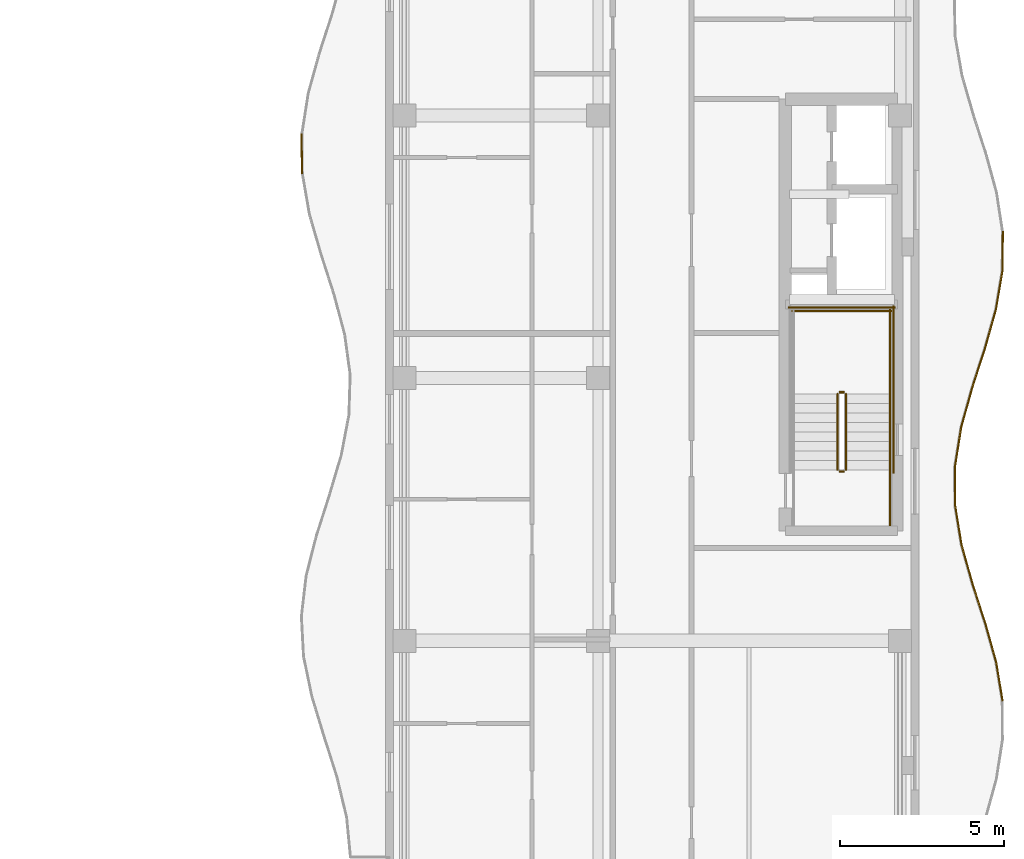
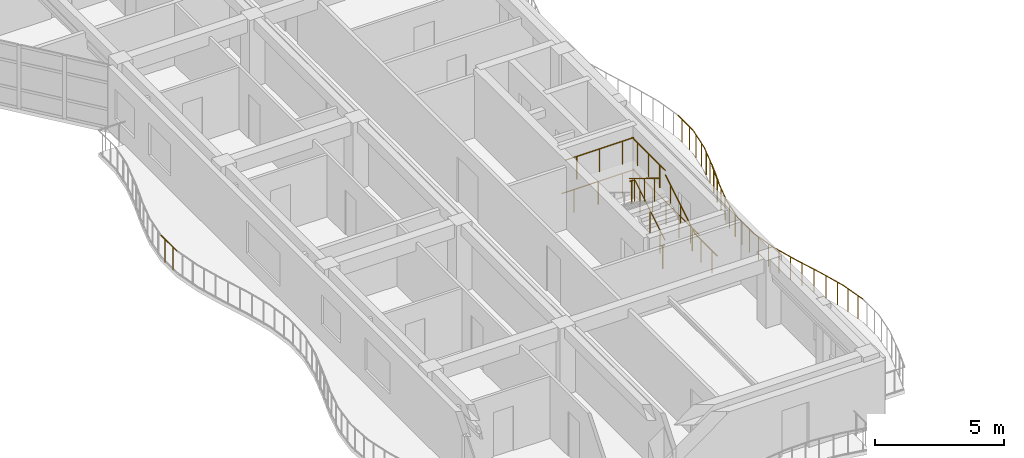
# One storey, part 85 of 89: 23 railings.
"""IFC4 building model written with IfcOpenShell, lengths in metres."""

from ifc_helpers import new_model, si_unit, direction, frame, origin, origin_2d, place, context, subcontext, project, spatial, circle, extrude, material, type_object, element, save


model = new_model("IFC4")

# Units and contexts
model_context = context("Model", 3, precision=1e-05, world=origin(), true_north=direction((0.0, 1.0)))
body_context = subcontext(model_context, "Body", "Model", "MODEL_VIEW")
ifc_project = project(units=[si_unit("LENGTHUNIT", "METRE"), si_unit("AREAUNIT", "SQUARE_METRE"), si_unit("VOLUMEUNIT", "CUBIC_METRE"), si_unit("PLANEANGLEUNIT", "RADIAN"), si_unit("MASSUNIT", "GRAM", prefix="KILO")], contexts=[model_context])

# Site, building, storey
site_placement = place(None, origin())
site = spatial("IfcSite", under=ifc_project, at=site_placement, CompositionType="ELEMENT")
building_placement = place(site_placement, origin())
building = spatial("IfcBuilding", under=site, at=building_placement, Name="Keldmere Railside Commons", CompositionType="ELEMENT")
storey_placement = place(building_placement, frame((0.0, 0.0, 7.360107421875)))
storey = spatial("IfcBuildingStorey", under=building, at=storey_placement, Name="L02", CompositionType="ELEMENT", Elevation=7.360107421875)

# Railings
ifc_material = material(Name="Steel F-24 (S235)", Category="steel")
railing_type_1 = type_object("IfcRailingType", Name="Balcony & Terrace Steel Balustrade 1100", PredefinedType="BALUSTRADE", material=ifc_material)
railing_1_placement = place(storey_placement, frame((165.33349609375, 78.22509765625, 0.0)))
element("IfcRailing", 1, at=railing_1_placement, inside=storey, type_object=railing_type_1, Name="GR-1 GRD-L02-3338", PredefinedType="BALUSTRADE", context=body_context, shape_type="SweptSolid", body=[
    extrude(circle(Radius=0.02392578125, at=origin_2d()), frame((0.0, 0.0, 1.076171875), z_axis=(-0.010762781004, 0.999942079595, 0.0), x_axis=(-0.999942079595, -0.010762781004, 0.0)), (0.0, 0.0, 1.0), 1.224853515625),
    extrude(circle(Radius=0.02099609375, at=origin_2d()), frame((-0.00341796875, 0.30615234375, 0.0)), (0.0, 0.0, 1.0), 1.048095703125),
    extrude(circle(Radius=0.02099609375, at=origin_2d()), frame((-0.009765625, 0.918701171875, 0.0)), (0.0, 0.0, 1.0), 1.048095703125),
])
railing_2_placement = place(storey_placement, frame((186.671630859375, 62.166748046875, 0.0)))
element("IfcRailing", 2, at=railing_2_placement, inside=storey, type_object=railing_type_1, Name="GR-1 GRD-L02-3351", PredefinedType="BALUSTRADE", context=body_context, shape_type="SweptSolid", body=[
    extrude(circle(Radius=0.02392578125, at=origin_2d()), frame((0.0, 0.0, 1.076171875), z_axis=(-0.162923737789, 0.986638665199, 0.0), x_axis=(-0.986638665199, -0.162923737789, 0.0)), (0.0, 0.0, 1.0), 1.207763671875),
    extrude(circle(Radius=0.02099609375, at=origin_2d()), frame((-0.04931640625, 0.2978515625, 0.0)), (0.0, 0.0, 1.0), 1.048095703125),
    extrude(circle(Radius=0.02099609375, at=origin_2d()), frame((-0.1474609375, 0.893798828125, 0.0)), (0.0, 0.0, 1.0), 1.048095703125),
])
railing_3_placement = place(storey_placement, frame((186.474853515625, 63.3583984375, 0.0)))
element("IfcRailing", 3, at=railing_3_placement, inside=storey, type_object=railing_type_1, Name="GR-1 GRD-L02-3352", PredefinedType="BALUSTRADE", context=body_context, shape_type="SweptSolid", body=[
    extrude(circle(Radius=0.02392578125, at=origin_2d()), frame((0.0, 0.0, 1.076171875), z_axis=(-0.271151019041, 0.962536817412, 0.0), x_axis=(-0.962536817412, -0.271151019041, 0.0)), (0.0, 0.0, 1.0), 1.238037109375),
    extrude(circle(Radius=0.02099609375, at=origin_2d()), frame((-0.083984375, 0.2978515625, 0.0)), (0.0, 0.0, 1.0), 1.048095703125),
    extrude(circle(Radius=0.02099609375, at=origin_2d()), frame((-0.251708984375, 0.893798828125, 0.0)), (0.0, 0.0, 1.0), 1.048095703125),
])
railing_4_placement = place(storey_placement, frame((186.13916015625, 64.550048828125, 0.0)))
element("IfcRailing", 4, at=railing_4_placement, inside=storey, type_object=railing_type_1, Name="GR-1 GRD-L02-3353", PredefinedType="BALUSTRADE", context=body_context, shape_type="SweptSolid", body=[
    extrude(circle(Radius=0.02392578125, at=origin_2d()), frame((0.0, 0.0, 1.076171875), z_axis=(-0.307794335351, 0.951452913772, 0.0), x_axis=(-0.951452913772, -0.307794335351, 0.0)), (0.0, 0.0, 1.0), 1.25244140625),
    extrude(circle(Radius=0.02099609375, at=origin_2d()), frame((-0.096435546875, 0.2978515625, 0.0)), (0.0, 0.0, 1.0), 1.048095703125),
    extrude(circle(Radius=0.02099609375, at=origin_2d()), frame((-0.2890625, 0.893798828125, 0.0)), (0.0, 0.0, 1.0), 1.048095703125),
])
railing_5_placement = place(storey_placement, frame((185.753662109375, 65.74169921875, 0.0)))
element("IfcRailing", 5, at=railing_5_placement, inside=storey, type_object=railing_type_1, Name="GR-1 GRD-L02-3354", PredefinedType="BALUSTRADE", context=body_context, shape_type="SweptSolid", body=[
    extrude(circle(Radius=0.02392578125, at=origin_2d()), frame((0.0, 0.0, 1.076171875), z_axis=(-0.269688466537, 0.96294762631, 0.0), x_axis=(-0.96294762631, -0.269688466537, 0.0)), (0.0, 0.0, 1.0), 1.237548828125),
    extrude(circle(Radius=0.02099609375, at=origin_2d()), frame((-0.08349609375, 0.2978515625, 0.0)), (0.0, 0.0, 1.0), 1.048095703125),
    extrude(circle(Radius=0.02099609375, at=origin_2d()), frame((-0.250244140625, 0.893798828125, 0.0)), (0.0, 0.0, 1.0), 1.048095703125),
])
railing_6_placement = place(storey_placement, frame((185.419921875, 66.933349609375, 0.0)))
element("IfcRailing", 6, at=railing_6_placement, inside=storey, type_object=railing_type_1, Name="GR-1 GRD-L02-3355", PredefinedType="BALUSTRADE", context=body_context, shape_type="SweptSolid", body=[
    extrude(circle(Radius=0.02392578125, at=origin_2d()), frame((0.0, 0.0, 1.076171875), z_axis=(-0.16036405323, 0.987057936715, 0.0), x_axis=(-0.987057936715, -0.16036405323, 0.0)), (0.0, 0.0, 1.0), 1.207275390625),
    extrude(circle(Radius=0.02099609375, at=origin_2d()), frame((-0.04833984375, 0.2978515625, 0.0)), (0.0, 0.0, 1.0), 1.048095703125),
    extrude(circle(Radius=0.02099609375, at=origin_2d()), frame((-0.145263671875, 0.893798828125, 0.0)), (0.0, 0.0, 1.0), 1.048095703125),
])
railing_7_placement = place(storey_placement, frame((185.226318359375, 68.125, 0.0)))
element("IfcRailing", 7, at=railing_7_placement, inside=storey, type_object=railing_type_1, Name="GR-1 GRD-L02-3356", PredefinedType="BALUSTRADE", context=body_context, shape_type="SweptSolid", body=[
    extrude(circle(Radius=0.02392578125, at=origin_2d()), frame((0.0, 0.0, 1.076171875), z_axis=(-0.001843881315, 0.999998300049, 0.0), x_axis=(-0.999998300049, -0.001843881315, 0.0)), (0.0, 0.0, 1.0), 1.191650390625),
    extrude(circle(Radius=0.02099609375, at=origin_2d()), frame((-0.00048828125, 0.2978515625, 0.0)), (0.0, 0.0, 1.0), 1.048095703125),
    extrude(circle(Radius=0.02099609375, at=origin_2d()), frame((-0.001708984375, 0.893798828125, 0.0)), (0.0, 0.0, 1.0), 1.048095703125),
])
railing_8_placement = place(storey_placement, frame((185.22412109375, 69.316650390625, 0.0)))
element("IfcRailing", 8, at=railing_8_placement, inside=storey, type_object=railing_type_1, Name="GR-1 GRD-L02-3357", PredefinedType="BALUSTRADE", context=body_context, shape_type="SweptSolid", body=[
    extrude(circle(Radius=0.02392578125, at=origin_2d()), frame((0.0, 0.0, 1.076171875), z_axis=(0.157209230145, 0.987565318324, 0.0), x_axis=(-0.987565318324, 0.157209230145, 0.0)), (0.0, 0.0, 1.0), 1.20654296875),
    extrude(circle(Radius=0.02099609375, at=origin_2d()), frame((0.04736328125, 0.2978515625, 0.0)), (0.0, 0.0, 1.0), 1.048095703125),
    extrude(circle(Radius=0.02099609375, at=origin_2d()), frame((0.142333984375, 0.893798828125, 0.0)), (0.0, 0.0, 1.0), 1.048095703125),
])
railing_9_placement = place(storey_placement, frame((185.413818359375, 70.50830078125, 0.0)))
element("IfcRailing", 9, at=railing_9_placement, inside=storey, type_object=railing_type_1, Name="GR-1 GRD-L02-3358", PredefinedType="BALUSTRADE", context=body_context, shape_type="SweptSolid", body=[
    extrude(circle(Radius=0.02392578125, at=origin_2d()), frame((0.0, 0.0, 1.076171875), z_axis=(0.267857648768, 0.963458499364, 0.0), x_axis=(-0.963458499364, 0.267857648768, 0.0)), (0.0, 0.0, 1.0), 1.23681640625),
    extrude(circle(Radius=0.02099609375, at=origin_2d()), frame((0.082763671875, 0.2978515625, 0.0)), (0.0, 0.0, 1.0), 1.048095703125),
    extrude(circle(Radius=0.02099609375, at=origin_2d()), frame((0.24853515625, 0.893798828125, 0.0)), (0.0, 0.0, 1.0), 1.048095703125),
])
railing_10_placement = place(storey_placement, frame((185.7451171875, 71.699951171875, 0.0)))
element("IfcRailing", 10, at=railing_10_placement, inside=storey, type_object=railing_type_1, Name="GR-1 GRD-L02-3359", PredefinedType="BALUSTRADE", context=body_context, shape_type="SweptSolid", body=[
    extrude(circle(Radius=0.02392578125, at=origin_2d()), frame((0.0, 0.0, 1.076171875), z_axis=(0.307794335351, 0.951452913772, 0.0), x_axis=(-0.951452913772, 0.307794335351, 0.0)), (0.0, 0.0, 1.0), 1.25244140625),
    extrude(circle(Radius=0.02099609375, at=origin_2d()), frame((0.096435546875, 0.2978515625, 0.0)), (0.0, 0.0, 1.0), 1.048095703125),
    extrude(circle(Radius=0.02099609375, at=origin_2d()), frame((0.2890625, 0.893798828125, 0.0)), (0.0, 0.0, 1.0), 1.048095703125),
])
railing_11_placement = place(storey_placement, frame((186.130615234375, 72.8916015625, 0.0)))
element("IfcRailing", 11, at=railing_11_placement, inside=storey, type_object=railing_type_1, Name="GR-1 GRD-L02-3360", PredefinedType="BALUSTRADE", context=body_context, shape_type="SweptSolid", body=[
    extrude(circle(Radius=0.02392578125, at=origin_2d()), frame((0.0, 0.0, 1.076171875), z_axis=(0.27279414822, 0.96207242591, 0.0), x_axis=(-0.96207242591, 0.27279414822, 0.0)), (0.0, 0.0, 1.0), 1.238525390625),
    extrude(circle(Radius=0.02099609375, at=origin_2d()), frame((0.08447265625, 0.2978515625, 0.0)), (0.0, 0.0, 1.0), 1.048095703125),
    extrude(circle(Radius=0.02099609375, at=origin_2d()), frame((0.25341796875, 0.893798828125, 0.0)), (0.0, 0.0, 1.0), 1.048095703125),
])
railing_12_placement = place(storey_placement, frame((186.468505859375, 74.083251953125, 0.0)))
element("IfcRailing", 12, at=railing_12_placement, inside=storey, type_object=railing_type_1, Name="GR-1 GRD-L02-3361", PredefinedType="BALUSTRADE", context=body_context, shape_type="SweptSolid", body=[
    extrude(circle(Radius=0.02392578125, at=origin_2d()), frame((0.0, 0.0, 1.076171875), z_axis=(0.166069603647, 0.986114033337, 0.0), x_axis=(-0.986114033337, 0.166069603647, 0.0)), (0.0, 0.0, 1.0), 1.20849609375),
    extrude(circle(Radius=0.02099609375, at=origin_2d()), frame((0.05029296875, 0.2978515625, 0.0)), (0.0, 0.0, 1.0), 1.048095703125),
    extrude(circle(Radius=0.02099609375, at=origin_2d()), frame((0.150390625, 0.893798828125, 0.0)), (0.0, 0.0, 1.0), 1.048095703125),
])
railing_13_placement = place(storey_placement, frame((186.669189453125, 75.27490234375, 0.0)))
element("IfcRailing", 13, at=railing_13_placement, inside=storey, type_object=railing_type_1, Name="GR-1 GRD-L02-3362", PredefinedType="BALUSTRADE", context=body_context, shape_type="SweptSolid", body=[
    extrude(circle(Radius=0.02392578125, at=origin_2d()), frame((0.0, 0.0, 1.076171875), z_axis=(0.00901233369, 0.999959388096, 0.0), x_axis=(-0.999959388096, 0.00901233369, 0.0)), (0.0, 0.0, 1.0), 1.19189453125),
    extrude(circle(Radius=0.02099609375, at=origin_2d()), frame((0.002685546875, 0.2978515625, 0.0)), (0.0, 0.0, 1.0), 1.048095703125),
    extrude(circle(Radius=0.02099609375, at=origin_2d()), frame((0.008056640625, 0.89404296875, 0.0)), (0.0, 0.0, 1.0), 1.048095703125),
])
railing_type_2 = type_object("IfcRailingType", Name="Stair Well Steel Guardrail 1100", PredefinedType="BALUSTRADE", material=ifc_material)
railing_14_placement = place(storey_placement, frame((181.89990234375, 69.199951171875, 0.177734375)))
element("IfcRailing", 14, at=railing_14_placement, inside=storey, type_object=railing_type_2, Name="L02 ST-A1 stair guard 1", PredefinedType="BALUSTRADE", context=body_context, shape_type="SweptSolid", body=[
    extrude(circle(Radius=0.02392578125, at=origin_2d()), frame((0.0, 0.0, 1.076171875), z_axis=(0.0, 0.852578041948, 0.522599925744), x_axis=(-1.0, 0.0, 0.0)), (0.0, 0.0, 1.0), 2.72119140625),
    extrude(circle(Radius=0.02099609375, at=origin_2d()), frame((0.0, 0.38671875, 0.237060546875)), (0.0, 0.0, 1.0), 1.048095703125),
    extrude(circle(Radius=0.02099609375, at=origin_2d()), frame((0.0, 1.16015625, 0.7109375)), (0.0, 0.0, 1.0), 1.048095703125),
    extrude(circle(Radius=0.02099609375, at=origin_2d()), frame((0.0, 1.933349609375, 1.18505859375)), (0.0, 0.0, 1.0), 1.048095703125),
])
railing_15_placement = place(storey_placement, frame((181.85009765625, 71.570068359375, 1.599853515625)))
element("IfcRailing", 15, at=railing_15_placement, inside=storey, type_object=railing_type_2, Name="L02 ST-A1 stair guard 2", PredefinedType="BALUSTRADE", context=body_context, shape_type="SweptSolid", body=[
    extrude(circle(Radius=0.02392578125, at=origin_2d()), frame((0.0, 0.0, 1.076171875), z_axis=(-1.0, 0.0, 0.0), x_axis=(0.0, -1.0, 0.0)), (0.0, 0.0, 1.0), 0.150146484375),
    extrude(circle(Radius=0.02099609375, at=origin_2d()), frame((-0.0751953125, 0.0, 0.0)), (0.0, 0.0, 1.0), 1.048095703125),
])
railing_16_placement = place(storey_placement, frame((183.25, 71.52001953125, 1.599853515625)))
element("IfcRailing", 16, at=railing_16_placement, inside=storey, type_object=railing_type_2, Name="L02 ST-A1 stair guard 3", PredefinedType="BALUSTRADE", context=body_context, shape_type="SweptSolid", body=[
    extrude(circle(Radius=0.02392578125, at=origin_2d()), frame((0.0, 0.0, 1.076171875), z_axis=(0.0, 1.0, 0.0), x_axis=(-1.0, 0.0, 0.0)), (0.0, 0.0, 1.0), 2.580078125),
    extrude(circle(Radius=0.02099609375, at=origin_2d()), frame((0.0, 0.429931640625, 0.0)), (0.0, 0.0, 1.0), 1.048095703125),
    extrude(circle(Radius=0.02099609375, at=origin_2d()), frame((0.0, 1.2900390625, 0.0)), (0.0, 0.0, 1.0), 1.048095703125),
    extrude(circle(Radius=0.02099609375, at=origin_2d()), frame((0.0, 2.150146484375, 0.0)), (0.0, 0.0, 1.0), 1.048095703125),
])
railing_17_placement = place(storey_placement, frame((183.300048828125, 74.050048828125, 1.599853515625)))
element("IfcRailing", 17, at=railing_17_placement, inside=storey, type_object=railing_type_2, Name="L02 ST-A1 stair guard 5", PredefinedType="BALUSTRADE", context=body_context, shape_type="SweptSolid", body=[
    extrude(circle(Radius=0.02392578125, at=origin_2d()), frame((0.0, 0.0, 1.076171875), z_axis=(-1.0, 0.0, 0.0), x_axis=(0.0, -1.0, 0.0)), (0.0, 0.0, 1.0), 3.050048828125),
    extrude(circle(Radius=0.02099609375, at=origin_2d()), frame((-0.50830078125, 0.0, 0.0)), (0.0, 0.0, 1.0), 1.048095703125),
    extrude(circle(Radius=0.02099609375, at=origin_2d()), frame((-1.52490234375, 0.0, 0.0)), (0.0, 0.0, 1.0), 1.048095703125),
    extrude(circle(Radius=0.02099609375, at=origin_2d()), frame((-2.541748046875, 0.0, 0.0)), (0.0, 0.0, 1.0), 1.048095703125),
])
railing_18_placement = place(storey_placement, frame((181.64990234375, 71.52001953125, 1.777587890625)))
element("IfcRailing", 18, at=railing_18_placement, inside=storey, type_object=railing_type_2, Name="L02 ST-A1 stair guard 6", PredefinedType="BALUSTRADE", context=body_context, shape_type="SweptSolid", body=[
    extrude(circle(Radius=0.02392578125, at=origin_2d()), frame((0.0, 0.0, 1.076171875), z_axis=(0.0, -0.852538067394, 0.522665135287), x_axis=(1.0, 0.0, 0.0)), (0.0, 0.0, 1.0), 2.721435546875),
    extrude(circle(Radius=0.02099609375, at=origin_2d()), frame((0.0, -0.38671875, 0.237060546875)), (0.0, 0.0, 1.0), 1.048095703125),
    extrude(circle(Radius=0.02099609375, at=origin_2d()), frame((0.0, -1.16015625, 0.711181640625)), (0.0, 0.0, 1.0), 1.048095703125),
    extrude(circle(Radius=0.02099609375, at=origin_2d()), frame((0.0, -1.933349609375, 1.185302734375)), (0.0, 0.0, 1.0), 1.048095703125),
])
railing_19_placement = place(storey_placement, frame((181.85009765625, 69.14990234375, 0.0)))
element("IfcRailing", 19, at=railing_19_placement, inside=storey, type_object=railing_type_2, Name="L02 ST-A1 stair guard 7", PredefinedType="BALUSTRADE", context=body_context, shape_type="SweptSolid", body=[
    extrude(circle(Radius=0.02392578125, at=origin_2d()), frame((0.0, 0.0, 1.076171875), z_axis=(-1.0, 0.0, 0.0), x_axis=(0.0, -1.0, 0.0)), (0.0, 0.0, 1.0), 0.150146484375),
    extrude(circle(Radius=0.02099609375, at=origin_2d()), frame((-0.0751953125, 0.0, 0.0)), (0.0, 0.0, 1.0), 1.048095703125),
])
railing_20_placement = place(storey_placement, frame((183.25, 67.5, 0.0)))
element("IfcRailing", 20, at=railing_20_placement, inside=storey, type_object=railing_type_2, Name="L02 ST-A1 stair guard 8", PredefinedType="BALUSTRADE", context=body_context, shape_type="SweptSolid", body=[
    extrude(circle(Radius=0.02392578125, at=origin_2d()), frame((0.0, 0.0, 1.076171875), z_axis=(0.0, 1.0, 0.0), x_axis=(-1.0, 0.0, 0.0)), (0.0, 0.0, 1.0), 1.699951171875),
    extrude(circle(Radius=0.02099609375, at=origin_2d()), frame((0.0, 0.425048828125, 0.0)), (0.0, 0.0, 1.0), 1.048095703125),
    extrude(circle(Radius=0.02099609375, at=origin_2d()), frame((0.0, 1.27490234375, 0.0)), (0.0, 0.0, 1.0), 1.048095703125),
])
railing_21_placement = place(storey_placement, frame((183.35009765625, 69.10009765625, 0.0)))
element("IfcRailing", 21, at=railing_21_placement, inside=storey, type_object=railing_type_2, Name="L02 ST-A1 stair guard 10", PredefinedType="BALUSTRADE", context=body_context, shape_type="SweptSolid", body=[
    extrude(circle(Radius=0.02392578125, at=origin_2d()), frame((0.0, 0.0, 1.076171875), z_axis=(0.0, 1.0, 0.0), x_axis=(-1.0, 0.0, 0.0)), (0.0, 0.0, 1.0), 5.099853515625),
    extrude(circle(Radius=0.02099609375, at=origin_2d()), frame((0.0, 0.510009765625, 0.0)), (0.0, 0.0, 1.0), 1.048095703125),
    extrude(circle(Radius=0.02099609375, at=origin_2d()), frame((0.0, 1.530029296875, 0.0)), (0.0, 0.0, 1.0), 1.048095703125),
    extrude(circle(Radius=0.02099609375, at=origin_2d()), frame((0.0, 2.5498046875, 0.0)), (0.0, 0.0, 1.0), 1.048095703125),
    extrude(circle(Radius=0.02099609375, at=origin_2d()), frame((0.0, 3.56982421875, 0.0)), (0.0, 0.0, 1.0), 1.048095703125),
    extrude(circle(Radius=0.02099609375, at=origin_2d()), frame((0.0, 4.58984375, 0.0)), (0.0, 0.0, 1.0), 1.048095703125),
])
railing_22_placement = place(storey_placement, frame((183.39990234375, 74.14990234375, 0.0)))
element("IfcRailing", 22, at=railing_22_placement, inside=storey, type_object=railing_type_2, Name="L02 ST-A1 stair guard 12", PredefinedType="BALUSTRADE", context=body_context, shape_type="SweptSolid", body=[
    extrude(circle(Radius=0.02392578125, at=origin_2d()), frame((0.0, 0.0, 1.076171875), z_axis=(-1.0, 0.0, 0.0), x_axis=(0.0, -1.0, 0.0)), (0.0, 0.0, 1.0), 3.25),
    extrude(circle(Radius=0.02099609375, at=origin_2d()), frame((-0.541748046875, 0.0, 0.0)), (0.0, 0.0, 1.0), 1.048095703125),
    extrude(circle(Radius=0.02099609375, at=origin_2d()), frame((-1.625, 0.0, 0.0)), (0.0, 0.0, 1.0), 1.048095703125),
    extrude(circle(Radius=0.02099609375, at=origin_2d()), frame((-2.708251953125, 0.0, 0.0)), (0.0, 0.0, 1.0), 1.048095703125),
])
railing_type_3 = type_object("IfcRailingType", Name="Wall-Mounted Tubular Steel Handrail 900", PredefinedType="HANDRAIL", material=ifc_material)
railing_23_placement = place(storey_placement, frame((183.25, 69.199951171875, 0.177734375)))
element("IfcRailing", 23, at=railing_23_placement, inside=storey, type_object=railing_type_3, Name="L02 ST-A1 stair handrail 1", PredefinedType="HANDRAIL", context=body_context, shape_type="SweptSolid", body=[
    extrude(circle(Radius=0.02392578125, at=origin_2d()), frame((0.0, 0.0, 0.8759765625), z_axis=(0.0, 0.852578041948, 0.522599925744), x_axis=(-1.0, 0.0, 0.0)), (0.0, 0.0, 1.0), 2.72119140625),
    extrude(circle(Radius=0.02099609375, at=origin_2d()), frame((0.0, 0.38671875, 0.237060546875)), (0.0, 0.0, 1.0), 0.847900390625),
    extrude(circle(Radius=0.02099609375, at=origin_2d()), frame((0.0, 1.16015625, 0.7109375)), (0.0, 0.0, 1.0), 0.847900390625),
    extrude(circle(Radius=0.02099609375, at=origin_2d()), frame((0.0, 1.933349609375, 1.18505859375)), (0.0, 0.0, 1.0), 0.847900390625),
])

save(model, "model.ifc")
